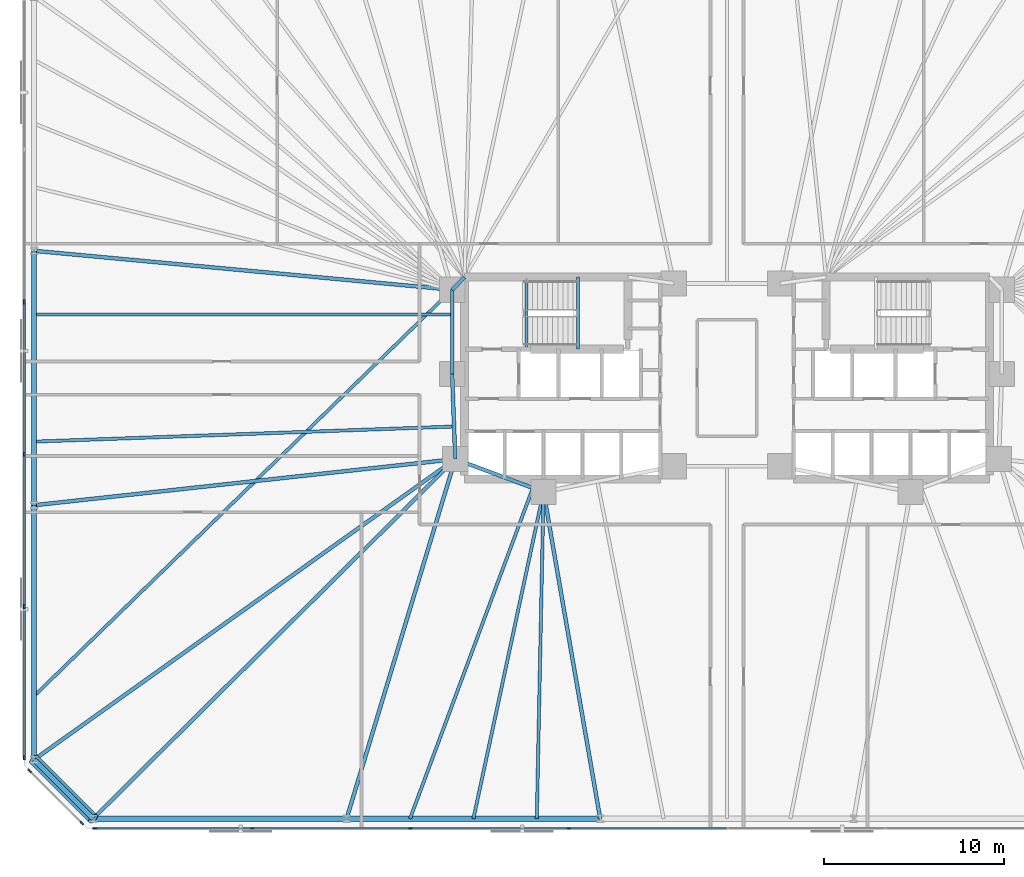
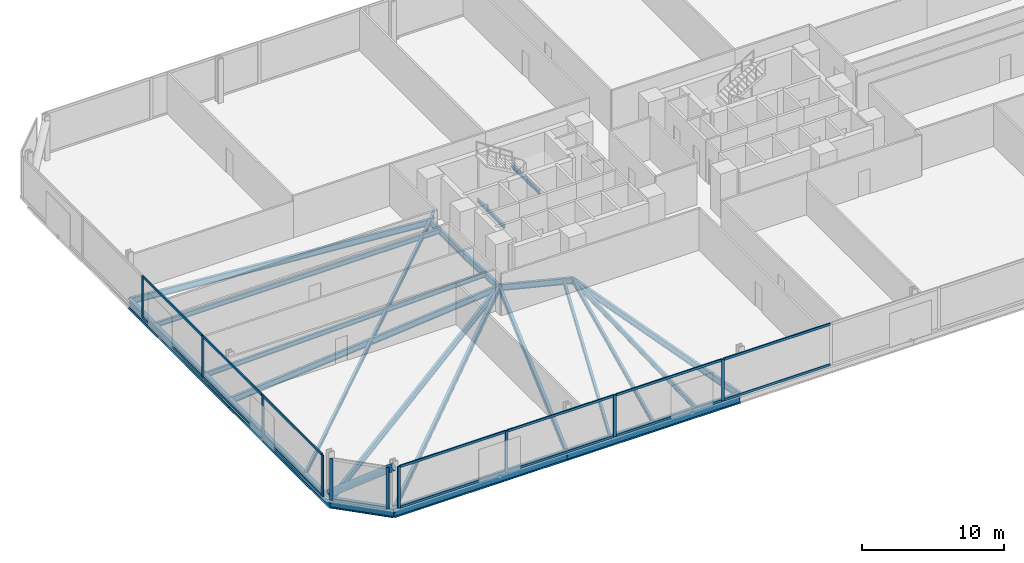
# One storey, part 6 of 17: 25 members, 23 beams, 3 elements without a shape of their own.
"""IFC4 building model written with IfcOpenShell, lengths in metres."""

from ifc_helpers import new_model, si_unit, direction, frame, origin, origin_2d, place, context, subcontext, project, spatial, rectangle, hollow_circle, i_section, extrude, material, material_profile, profile_set, type_object, element, aggregate, save


model = new_model("IFC4")

# Units and contexts
model_context = context("Model", 3, precision=1e-05, world=origin(), true_north=direction((0.0, 1.0)))
body_context = subcontext(model_context, "Body", "Model", "MODEL_VIEW")
ifc_project = project(units=[si_unit("LENGTHUNIT", "METRE"), si_unit("AREAUNIT", "SQUARE_METRE"), si_unit("VOLUMEUNIT", "CUBIC_METRE"), si_unit("PLANEANGLEUNIT", "RADIAN"), si_unit("MASSUNIT", "GRAM", prefix="KILO")], contexts=[model_context])

# Site, building, storey
site_placement = place(None, origin())
site = spatial("IfcSite", under=ifc_project, at=site_placement, CompositionType="ELEMENT")
building_placement = place(site_placement, origin())
building = spatial("IfcBuilding", under=site, at=building_placement, Name="Menara Jurai Vektor", CompositionType="ELEMENT")
storey_placement = place(building_placement, frame((0.0, 0.0, 21.800048828125)))
storey = spatial("IfcBuildingStorey", under=building, at=storey_placement, Name="L04", CompositionType="ELEMENT", Elevation=21.800048828125)

# Curtain wall, members
ifc_material_1 = material(Name="Anodised Pale Aluminium & Low-E Double Glazing", Category="aluminium")
curtain_wall_type = type_object("IfcCurtainWallType", Name="CW-BLK1", PredefinedType="NOTDEFINED", material=ifc_material_1)
curtain_wall_1_placement = place(storey_placement, origin())
curtain_wall_1 = element("IfcCurtainWall", 1, at=curtain_wall_1_placement, inside=storey, type_object=curtain_wall_type, Name="Unitised Curtain Wall L04 F01", PredefinedType="NOTDEFINED")
ifc_material_2 = material(Name="Anodised Pale Aluminium Mullion", Category="aluminium")
ifc_material_profile_1 = material_profile(ifc_material_2, rectangle(XDim=0.094970703125, YDim=0.239990234375, at=origin_2d()), Name="ALU MUL 95x240")
ifc_profile_set_1 = profile_set([ifc_material_profile_1], Name="Anodised Pale Aluminium Mullion")
member_type_1 = type_object("IfcMemberType", Name="CW-BLK1-MUL", PredefinedType="MULLION", material=ifc_profile_set_1)
member_1_placement = place(storey_placement, frame((-35.072509765625, -25.0, 0.0), z_axis=(0.0, 0.0, 1.0), x_axis=(0.0, 1.0, 0.0)))
member_1 = element("IfcMember", 2, at=member_1_placement, type_object=member_type_1, Name="CW-01 mullion 1", PredefinedType="MULLION", context=body_context, shape_type="SweptSolid", body=[
    extrude(rectangle(XDim=0.094970703125, YDim=0.239990234375, at=origin_2d()), origin(), (0.0, 0.0, 1.0), 3.574951171875),
])
member_2_placement = place(storey_placement, frame((-26.340087890625, -25.0, 0.0), z_axis=(0.0, 0.0, 1.0), x_axis=(0.0, 1.0, 0.0)))
member_2 = element("IfcMember", 3, at=member_2_placement, type_object=member_type_1, Name="CW-01 mullion 2", PredefinedType="MULLION", context=body_context, shape_type="SweptSolid", body=[
    extrude(rectangle(XDim=0.094970703125, YDim=0.239990234375, at=origin_2d()), origin(), (0.0, 0.0, 1.0), 3.574951171875),
])
member_3_placement = place(storey_placement, frame((-17.56005859375, -25.0, 0.0), z_axis=(0.0, 0.0, 1.0), x_axis=(0.0, 1.0, 0.0)))
member_3 = element("IfcMember", 4, at=member_3_placement, type_object=member_type_1, Name="CW-01 mullion 3", PredefinedType="MULLION", context=body_context, shape_type="SweptSolid", body=[
    extrude(rectangle(XDim=0.094970703125, YDim=0.239990234375, at=origin_2d()), origin(), (0.0, 0.0, 1.0), 3.574951171875),
])
member_4_placement = place(storey_placement, frame((-8.780029296875, -25.0, 0.0), z_axis=(0.0, 0.0, 1.0), x_axis=(0.0, 1.0, 0.0)))
member_4 = element("IfcMember", 5, at=member_4_placement, type_object=member_type_1, Name="CW-01 mullion 4", PredefinedType="MULLION", context=body_context, shape_type="SweptSolid", body=[
    extrude(rectangle(XDim=0.094970703125, YDim=0.239990234375, at=origin_2d()), origin(), (0.0, 0.0, 1.0), 3.574951171875),
])

curtain_wall_2_placement = place(storey_placement, origin())
curtain_wall_2 = element("IfcCurtainWall", 6, at=curtain_wall_2_placement, inside=storey, type_object=curtain_wall_type, Name="Unitised Curtain Wall L04 F07", PredefinedType="NOTDEFINED")
member_5_placement = place(storey_placement, frame((-39.0, 4.22412109375, 0.0), z_axis=(0.0, 0.0, 1.0), x_axis=(1.0, 0.0, 0.0)))
member_5 = element("IfcMember", 7, at=member_5_placement, type_object=member_type_1, Name="CW-01 mullion 3", PredefinedType="MULLION", context=body_context, shape_type="SweptSolid", body=[
    extrude(rectangle(XDim=0.094970703125, YDim=0.239990234375, at=origin_2d()), origin(), (0.0, 0.0, 1.0), 3.574951171875),
])
member_6_placement = place(storey_placement, frame((-39.0, -4.22412109375, 0.0), z_axis=(0.0, 0.0, 1.0), x_axis=(1.0, 0.0, 0.0)))
member_6 = element("IfcMember", 8, at=member_6_placement, type_object=member_type_1, Name="CW-01 mullion 4", PredefinedType="MULLION", context=body_context, shape_type="SweptSolid", body=[
    extrude(rectangle(XDim=0.094970703125, YDim=0.239990234375, at=origin_2d()), origin(), (0.0, 0.0, 1.0), 3.574951171875),
])
member_7_placement = place(storey_placement, frame((-39.0, -12.672119140625, 0.0), z_axis=(0.0, 0.0, 1.0), x_axis=(1.0, 0.0, 0.0)))
member_7 = element("IfcMember", 9, at=member_7_placement, type_object=member_type_1, Name="CW-01 mullion 5", PredefinedType="MULLION", context=body_context, shape_type="SweptSolid", body=[
    extrude(rectangle(XDim=0.094970703125, YDim=0.239990234375, at=origin_2d()), origin(), (0.0, 0.0, 1.0), 3.574951171875),
])
member_8_placement = place(storey_placement, frame((-39.0, -21.072509765625, 0.0), z_axis=(0.0, 0.0, 1.0), x_axis=(1.0, 0.0, 0.0)))
member_8 = element("IfcMember", 10, at=member_8_placement, type_object=member_type_1, Name="CW-01 mullion 6", PredefinedType="MULLION", context=body_context, shape_type="SweptSolid", body=[
    extrude(rectangle(XDim=0.094970703125, YDim=0.239990234375, at=origin_2d()), origin(), (0.0, 0.0, 1.0), 3.574951171875),
])

curtain_wall_3_placement = place(storey_placement, origin())
curtain_wall_3 = element("IfcCurtainWall", 11, at=curtain_wall_3_placement, inside=storey, type_object=curtain_wall_type, Name="Unitised Curtain Wall L04 F08", PredefinedType="NOTDEFINED")
member_9_placement = place(storey_placement, frame((-38.69775390625, -21.80224609375, 0.0), z_axis=(0.0, 0.0, 1.0), x_axis=(0.707106781187, 0.707106781187, 0.0)))
member_9 = element("IfcMember", 12, at=member_9_placement, type_object=member_type_1, Name="CW-01 mullion 1", PredefinedType="MULLION", context=body_context, shape_type="SweptSolid", body=[
    extrude(rectangle(XDim=0.094970703125, YDim=0.239990234375, at=origin_2d()), origin(), (0.0, 0.0, 1.0), 3.574951171875),
])
member_10_placement = place(storey_placement, frame((-35.80224609375, -24.69775390625, 0.0), z_axis=(0.0, 0.0, 1.0), x_axis=(0.707106781187, 0.707106781187, 0.0)))
member_10 = element("IfcMember", 13, at=member_10_placement, type_object=member_type_1, Name="CW-01 mullion 2", PredefinedType="MULLION", context=body_context, shape_type="SweptSolid", body=[
    extrude(rectangle(XDim=0.094970703125, YDim=0.239990234375, at=origin_2d()), origin(), (0.0, 0.0, 1.0), 3.574951171875),
])
aggregate(curtain_wall_3, [member_9, member_10])

# Member
ifc_material_3 = material(Name="Anodised Pale Aluminium Transom", Category="aluminium")
ifc_material_profile_2 = material_profile(ifc_material_3, rectangle(XDim=0.094970703125, YDim=0.199951171875, at=origin_2d()), Name="ALU TRN 95x200")
ifc_profile_set_2 = profile_set([ifc_material_profile_2], Name="Anodised Pale Aluminium Transom")
member_type_2 = type_object("IfcMemberType", Name="CW-BLK1-TRN", PredefinedType="USERDEFINED", material=ifc_profile_set_2)
member_11_placement = place(storey_placement, frame((-35.02490234375, -25.0, 0.04736328125), z_axis=(1.0, 0.0, 0.0), x_axis=(0.0, 1.0, 0.0)))
member_11 = element("IfcMember", 14, at=member_11_placement, type_object=member_type_2, Name="CW-01 transom 1.1", ObjectType="TRANSOM", PredefinedType="USERDEFINED", context=body_context, shape_type="SweptSolid", body=[
    extrude(rectangle(XDim=0.094970703125, YDim=0.199951171875, at=origin_2d()), origin(), (0.0, 0.0, 1.0), 8.637451171875),
])

member_12_placement = place(storey_placement, frame((-35.02490234375, -25.0, 3.52734375), z_axis=(1.0, 0.0, 0.0), x_axis=(0.0, 1.0, 0.0)))
member_12 = element("IfcMember", 15, at=member_12_placement, type_object=member_type_2, Name="CW-01 transom 1.2", ObjectType="TRANSOM", PredefinedType="USERDEFINED", context=body_context, shape_type="SweptSolid", body=[
    extrude(rectangle(XDim=0.094970703125, YDim=0.199951171875, at=origin_2d()), origin(), (0.0, 0.0, 1.0), 8.637451171875),
])

member_13_placement = place(storey_placement, frame((-26.29248046875, -25.0, 0.04736328125), z_axis=(1.0, 0.0, 0.0), x_axis=(0.0, 1.0, 0.0)))
member_13 = element("IfcMember", 16, at=member_13_placement, type_object=member_type_2, Name="CW-01 transom 2.1", ObjectType="TRANSOM", PredefinedType="USERDEFINED", context=body_context, shape_type="SweptSolid", body=[
    extrude(rectangle(XDim=0.094970703125, YDim=0.199951171875, at=origin_2d()), origin(), (0.0, 0.0, 1.0), 8.68505859375),
])

member_14_placement = place(storey_placement, frame((-26.29248046875, -25.0, 3.52734375), z_axis=(1.0, 0.0, 0.0), x_axis=(0.0, 1.0, 0.0)))
member_14 = element("IfcMember", 17, at=member_14_placement, type_object=member_type_2, Name="CW-01 transom 2.2", ObjectType="TRANSOM", PredefinedType="USERDEFINED", context=body_context, shape_type="SweptSolid", body=[
    extrude(rectangle(XDim=0.094970703125, YDim=0.199951171875, at=origin_2d()), origin(), (0.0, 0.0, 1.0), 8.68505859375),
])

member_15_placement = place(storey_placement, frame((-17.512451171875, -25.0, 0.04736328125), z_axis=(1.0, 0.0, 0.0), x_axis=(0.0, 1.0, 0.0)))
member_15 = element("IfcMember", 18, at=member_15_placement, type_object=member_type_2, Name="CW-01 transom 3.1", ObjectType="TRANSOM", PredefinedType="USERDEFINED", context=body_context, shape_type="SweptSolid", body=[
    extrude(rectangle(XDim=0.094970703125, YDim=0.199951171875, at=origin_2d()), origin(), (0.0, 0.0, 1.0), 8.68505859375),
])

member_16_placement = place(storey_placement, frame((-17.512451171875, -25.0, 3.52734375), z_axis=(1.0, 0.0, 0.0), x_axis=(0.0, 1.0, 0.0)))
member_16 = element("IfcMember", 19, at=member_16_placement, type_object=member_type_2, Name="CW-01 transom 3.2", ObjectType="TRANSOM", PredefinedType="USERDEFINED", context=body_context, shape_type="SweptSolid", body=[
    extrude(rectangle(XDim=0.094970703125, YDim=0.199951171875, at=origin_2d()), origin(), (0.0, 0.0, 1.0), 8.68505859375),
])

member_17_placement = place(storey_placement, frame((-8.732421875, -25.0, 0.04736328125), z_axis=(1.0, 0.0, 0.0), x_axis=(0.0, 1.0, 0.0)))
member_17 = element("IfcMember", 20, at=member_17_placement, type_object=member_type_2, Name="CW-01 transom 4.1", ObjectType="TRANSOM", PredefinedType="USERDEFINED", context=body_context, shape_type="SweptSolid", body=[
    extrude(rectangle(XDim=0.094970703125, YDim=0.199951171875, at=origin_2d()), origin(), (0.0, 0.0, 1.0), 8.684814453125),
])

member_18_placement = place(storey_placement, frame((-8.732421875, -25.0, 3.52734375), z_axis=(1.0, 0.0, 0.0), x_axis=(0.0, 1.0, 0.0)))
member_18 = element("IfcMember", 21, at=member_18_placement, type_object=member_type_2, Name="CW-01 transom 4.2", ObjectType="TRANSOM", PredefinedType="USERDEFINED", context=body_context, shape_type="SweptSolid", body=[
    extrude(rectangle(XDim=0.094970703125, YDim=0.199951171875, at=origin_2d()), origin(), (0.0, 0.0, 1.0), 8.684814453125),
])

aggregate(curtain_wall_1, [member_1, member_2, member_3, member_4, member_11, member_12, member_13, member_14, member_15, member_16, member_17, member_18])

member_19_placement = place(storey_placement, frame((-39.0, 4.176513671875, 0.04736328125), z_axis=(0.0, -1.0, 0.0), x_axis=(1.0, 0.0, 0.0)))
member_19 = element("IfcMember", 22, at=member_19_placement, type_object=member_type_2, Name="CW-01 transom 3.1", ObjectType="TRANSOM", PredefinedType="USERDEFINED", context=body_context, shape_type="SweptSolid", body=[
    extrude(rectangle(XDim=0.094970703125, YDim=0.199951171875, at=origin_2d()), origin(), (0.0, 0.0, 1.0), 8.35302734375),
])

member_20_placement = place(storey_placement, frame((-39.0, 4.176513671875, 3.52734375), z_axis=(0.0, -1.0, 0.0), x_axis=(1.0, 0.0, 0.0)))
member_20 = element("IfcMember", 23, at=member_20_placement, type_object=member_type_2, Name="CW-01 transom 3.2", ObjectType="TRANSOM", PredefinedType="USERDEFINED", context=body_context, shape_type="SweptSolid", body=[
    extrude(rectangle(XDim=0.094970703125, YDim=0.199951171875, at=origin_2d()), origin(), (0.0, 0.0, 1.0), 8.35302734375),
])

member_21_placement = place(storey_placement, frame((-39.0, -4.271484375, 0.04736328125), z_axis=(0.0, -1.0, 0.0), x_axis=(1.0, 0.0, 0.0)))
member_21 = element("IfcMember", 24, at=member_21_placement, type_object=member_type_2, Name="CW-01 transom 4.1", ObjectType="TRANSOM", PredefinedType="USERDEFINED", context=body_context, shape_type="SweptSolid", body=[
    extrude(rectangle(XDim=0.094970703125, YDim=0.199951171875, at=origin_2d()), origin(), (0.0, 0.0, 1.0), 8.35302734375),
])

member_22_placement = place(storey_placement, frame((-39.0, -4.271484375, 3.52734375), z_axis=(0.0, -1.0, 0.0), x_axis=(1.0, 0.0, 0.0)))
member_22 = element("IfcMember", 25, at=member_22_placement, type_object=member_type_2, Name="CW-01 transom 4.2", ObjectType="TRANSOM", PredefinedType="USERDEFINED", context=body_context, shape_type="SweptSolid", body=[
    extrude(rectangle(XDim=0.094970703125, YDim=0.199951171875, at=origin_2d()), origin(), (0.0, 0.0, 1.0), 8.35302734375),
])

member_23_placement = place(storey_placement, frame((-39.0, -12.719482421875, 0.04736328125), z_axis=(0.0, -1.0, 0.0), x_axis=(1.0, 0.0, 0.0)))
member_23 = element("IfcMember", 26, at=member_23_placement, type_object=member_type_2, Name="CW-01 transom 5.1", ObjectType="TRANSOM", PredefinedType="USERDEFINED", context=body_context, shape_type="SweptSolid", body=[
    extrude(rectangle(XDim=0.094970703125, YDim=0.199951171875, at=origin_2d()), origin(), (0.0, 0.0, 1.0), 8.305419921875),
])

member_24_placement = place(storey_placement, frame((-39.0, -12.719482421875, 3.52734375), z_axis=(0.0, -1.0, 0.0), x_axis=(1.0, 0.0, 0.0)))
member_24 = element("IfcMember", 27, at=member_24_placement, type_object=member_type_2, Name="CW-01 transom 5.2", ObjectType="TRANSOM", PredefinedType="USERDEFINED", context=body_context, shape_type="SweptSolid", body=[
    extrude(rectangle(XDim=0.094970703125, YDim=0.199951171875, at=origin_2d()), origin(), (0.0, 0.0, 1.0), 8.305419921875),
])

aggregate(curtain_wall_2, [member_5, member_6, member_7, member_8, member_19, member_20, member_21, member_22, member_23, member_24])

# Beams
ifc_material_4 = material(Name="Steel S355", Category="steel")
ifc_material_profile_3 = material_profile(ifc_material_4, i_section(OverallWidth=0.2109375, OverallDepth=0.5390625, WebThickness=0.011962890625, FlangeThickness=0.01904296875, FilletRadius=0.012939453125, at=origin_2d()), Name="UKB 533x210x109")
ifc_profile_set_3 = profile_set([ifc_material_profile_3], Name="Steel S355")
beam_type_1 = type_object("IfcBeamType", Name="STR-BM-533", PredefinedType="BEAM", material=ifc_profile_set_3)
beam_1_placement = place(storey_placement, frame((-15.25, 4.89990234375, -0.49462890625), z_axis=(0.701871936926, 0.712303154672, 0.0), x_axis=(-0.712303154672, 0.701871936926, 0.0)))
element("IfcBeam", 28, at=beam_1_placement, inside=storey, type_object=beam_type_1, Name="Core Ring Header Girder L04-CHW-N1", PredefinedType="BEAM", context=body_context, shape_type="SweptSolid", body=[
    extrude(i_section(OverallWidth=0.2109375, OverallDepth=0.5390625, WebThickness=0.011962890625, FlangeThickness=0.01904296875, FilletRadius=0.012939453125, at=origin_2d()), origin(), (0.0, 0.0, 1.0), 0.98291015625),
])
beam_2_placement = place(storey_placement, frame((-15.25, 0.219970703125, -0.49462890625), z_axis=(0.0, 1.0, 0.0), x_axis=(-1.0, 0.0, 0.0)))
element("IfcBeam", 29, at=beam_2_placement, inside=storey, type_object=beam_type_1, Name="Core Ring Header Girder L04-CHW-W1", PredefinedType="BEAM", context=body_context, shape_type="SweptSolid", body=[
    extrude(i_section(OverallWidth=0.2109375, OverallDepth=0.5390625, WebThickness=0.011962890625, FlangeThickness=0.01904296875, FilletRadius=0.012939453125, at=origin_2d()), origin(), (0.0, 0.0, 1.0), 4.679931640625),
])
beam_3_placement = place(storey_placement, frame((-15.080078125, -4.5, -0.49462890625), z_axis=(-0.035977314146, 0.999352606874, 0.0), x_axis=(-0.999352606874, -0.035977314146, 0.0)))
element("IfcBeam", 30, at=beam_3_placement, inside=storey, type_object=beam_type_1, Name="Core Ring Header Girder L04-CHW-W2", PredefinedType="BEAM", context=body_context, shape_type="SweptSolid", body=[
    extrude(i_section(OverallWidth=0.2109375, OverallDepth=0.5390625, WebThickness=0.011962890625, FlangeThickness=0.01904296875, FilletRadius=0.012939453125, at=origin_2d()), origin(), (0.0, 0.0, 1.0), 4.72314453125),
])
beam_4_placement = place(storey_placement, frame((-15.080078125, -4.5, -0.49462890625), z_axis=(0.937424400887, -0.348188874925, 0.0), x_axis=(0.348188874925, 0.937424400887, 0.0)))
element("IfcBeam", 31, at=beam_4_placement, inside=storey, type_object=beam_type_1, Name="Core Ring Header Girder L04-CHW-S1", PredefinedType="BEAM", context=body_context, shape_type="SweptSolid", body=[
    extrude(i_section(OverallWidth=0.2109375, OverallDepth=0.5390625, WebThickness=0.011962890625, FlangeThickness=0.01904296875, FilletRadius=0.012939453125, at=origin_2d()), origin(), (0.0, 0.0, 1.0), 5.227294921875),
])
beam_5_placement = place(storey_placement, frame((-35.177734375, -24.449951171875, -0.49462890625), z_axis=(0.709709931659, 0.704494011972, 0.0), x_axis=(-0.704494011972, 0.709709931659, 0.0)))
element("IfcBeam", 32, at=beam_5_placement, inside=storey, type_object=beam_type_1, Name="Radial Floor Girder L04-S1", PredefinedType="BEAM", context=body_context, shape_type="SweptSolid", body=[
    extrude(i_section(OverallWidth=0.2109375, OverallDepth=0.5390625, WebThickness=0.011962890625, FlangeThickness=0.01904296875, FilletRadius=0.012939453125, at=origin_2d()), origin(), (0.0, 0.0, 1.0), 28.318115234375),
])
beam_6_placement = place(storey_placement, frame((-21.106689453125, -24.449951171875, -0.49462890625), z_axis=(0.289179812203, 0.957274796604, 0.0), x_axis=(-0.957274796604, 0.289179812203, 0.0)))
element("IfcBeam", 33, at=beam_6_placement, inside=storey, type_object=beam_type_1, Name="Radial Floor Girder L04-S2", PredefinedType="BEAM", context=body_context, shape_type="SweptSolid", body=[
    extrude(i_section(OverallWidth=0.2109375, OverallDepth=0.5390625, WebThickness=0.011962890625, FlangeThickness=0.01904296875, FilletRadius=0.012939453125, at=origin_2d()), origin(), (0.0, 0.0, 1.0), 20.84033203125),
])
beam_7_placement = place(storey_placement, frame((-7.03564453125, -24.449951171875, -0.49462890625), z_axis=(-0.170880325642, 0.985291791455, 0.0), x_axis=(-0.985291791455, -0.170880325642, 0.0)))
element("IfcBeam", 34, at=beam_7_placement, inside=storey, type_object=beam_type_1, Name="Radial Floor Girder L04-S3", PredefinedType="BEAM", context=body_context, shape_type="SweptSolid", body=[
    extrude(i_section(OverallWidth=0.2109375, OverallDepth=0.5390625, WebThickness=0.011962890625, FlangeThickness=0.01904296875, FilletRadius=0.012939453125, at=origin_2d()), origin(), (0.0, 0.0, 1.0), 18.400634765625),
])
beam_8_placement = place(storey_placement, frame((-38.449951171875, 7.059326171875, -0.49462890625), z_axis=(0.995696113112, -0.092678208514, 0.0), x_axis=(0.092678208514, 0.995696113112, 0.0)))
element("IfcBeam", 35, at=beam_8_placement, inside=storey, type_object=beam_type_1, Name="Radial Floor Girder L04-W2", PredefinedType="BEAM", context=body_context, shape_type="SweptSolid", body=[
    extrude(i_section(OverallWidth=0.2109375, OverallDepth=0.5390625, WebThickness=0.011962890625, FlangeThickness=0.01904296875, FilletRadius=0.012939453125, at=origin_2d()), origin(), (0.0, 0.0, 1.0), 23.30029296875),
])
beam_9_placement = place(storey_placement, frame((-38.449951171875, -7.059326171875, -0.49462890625), z_axis=(0.994056757953, 0.108863042253, 0.0), x_axis=(-0.108863042253, 0.994056757953, 0.0)))
element("IfcBeam", 36, at=beam_9_placement, inside=storey, type_object=beam_type_1, Name="Radial Floor Girder L04-W3", PredefinedType="BEAM", context=body_context, shape_type="SweptSolid", body=[
    extrude(i_section(OverallWidth=0.2109375, OverallDepth=0.5390625, WebThickness=0.011962890625, FlangeThickness=0.01904296875, FilletRadius=0.012939453125, at=origin_2d()), origin(), (0.0, 0.0, 1.0), 23.509521484375),
])
beam_10_placement = place(storey_placement, frame((-38.449951171875, -21.177734375, -0.49462890625), z_axis=(0.813981033216, 0.580891450759, 0.0), x_axis=(-0.580891450759, 0.813981033216, 0.0)))
element("IfcBeam", 37, at=beam_10_placement, inside=storey, type_object=beam_type_1, Name="Radial Floor Girder L04-W4", PredefinedType="BEAM", context=body_context, shape_type="SweptSolid", body=[
    extrude(i_section(OverallWidth=0.2109375, OverallDepth=0.5390625, WebThickness=0.011962890625, FlangeThickness=0.01904296875, FilletRadius=0.012939453125, at=origin_2d()), origin(), (0.0, 0.0, 1.0), 28.710693359375),
])

# Member
ifc_material_5 = material(Name="Steel S460", Category="steel")
ifc_material_profile_4 = material_profile(ifc_material_5, hollow_circle(Radius=0.304931640625, WallThickness=0.02490234375, at=origin_2d()), Name="CHS 610x25")
ifc_profile_set_4 = profile_set([ifc_material_profile_4], Name="Steel S460")
member_type_3 = type_object("IfcMemberType", Name="STR-BR-610", PredefinedType="BRACE", material=ifc_profile_set_4)
member_25_placement = place(storey_placement, frame((-38.449951171875, -21.177734375, 0.14990234375), z_axis=(0.588942422958, -0.588942422958, 0.553438022619), x_axis=(0.707106781187, 0.707106781187, 0.0)))
element("IfcMember", 38, at=member_25_placement, inside=storey, type_object=member_type_3, Name="Exoskeleton Corner Brace L04-4", PredefinedType="BRACE", context=body_context, shape_type="SweptSolid", body=[
    extrude(hollow_circle(Radius=0.304931640625, WallThickness=0.02490234375, at=origin_2d()), origin(), (0.0, 0.0, 1.0), 5.55615234375),
])

# Beams
ifc_material_profile_5 = material_profile(ifc_material_4, i_section(OverallWidth=0.178955078125, OverallDepth=0.408935546875, WebThickness=0.009033203125, FlangeThickness=0.013916015625, FilletRadius=0.010009765625, at=origin_2d()), Name="UKB 406x178x67")
ifc_profile_set_5 = profile_set([ifc_material_profile_5], Name="Steel S355")
beam_type_2 = type_object("IfcBeamType", Name="STR-JS-406", PredefinedType="JOIST", material=ifc_profile_set_5)
beam_11_placement = place(storey_placement, frame((-17.5888671875, -24.449951171875, -0.429443359375), z_axis=(0.348179014223, 0.937428063403, 0.0), x_axis=(-0.937428063403, 0.348179014223, 0.0)))
element("IfcBeam", 39, at=beam_11_placement, inside=storey, type_object=beam_type_2, Name="Radial Secondary Floor Joist L04-JS01", PredefinedType="JOIST", context=body_context, shape_type="SweptSolid", body=[
    extrude(i_section(OverallWidth=0.178955078125, OverallDepth=0.408935546875, WebThickness=0.009033203125, FlangeThickness=0.013916015625, FilletRadius=0.010009765625, at=origin_2d()), origin(), (0.0, 0.0, 1.0), 19.5751953125),
])
beam_12_placement = place(storey_placement, frame((-14.071044921875, -24.449951171875, -0.429443359375), z_axis=(0.209845584412, 0.977734539997, 0.0), x_axis=(-0.977734539997, 0.209845584412, 0.0)))
element("IfcBeam", 40, at=beam_12_placement, inside=storey, type_object=beam_type_2, Name="Radial Secondary Floor Joist L04-JS02", PredefinedType="JOIST", context=body_context, shape_type="SweptSolid", body=[
    extrude(i_section(OverallWidth=0.178955078125, OverallDepth=0.408935546875, WebThickness=0.009033203125, FlangeThickness=0.013916015625, FilletRadius=0.010009765625, at=origin_2d()), origin(), (0.0, 0.0, 1.0), 18.542724609375),
])
beam_13_placement = place(storey_placement, frame((-10.55322265625, -24.449951171875, -0.429443359375), z_axis=(0.020585456509, 0.999788097039, 0.0), x_axis=(-0.999788097039, 0.020585456509, 0.0)))
element("IfcBeam", 41, at=beam_13_placement, inside=storey, type_object=beam_type_2, Name="Radial Secondary Floor Joist L04-JS03", PredefinedType="JOIST", context=body_context, shape_type="SweptSolid", body=[
    extrude(i_section(OverallWidth=0.178955078125, OverallDepth=0.408935546875, WebThickness=0.009033203125, FlangeThickness=0.013916015625, FilletRadius=0.010009765625, at=origin_2d()), origin(), (0.0, 0.0, 1.0), 18.1337890625),
])
beam_14_placement = place(storey_placement, frame((-38.449951171875, 3.529541015625, -0.429443359375), z_axis=(1.0, 0.0, 0.0), x_axis=(0.0, 1.0, 0.0)))
element("IfcBeam", 42, at=beam_14_placement, inside=storey, type_object=beam_type_2, Name="Radial Secondary Floor Joist L04-JS35", PredefinedType="JOIST", context=body_context, shape_type="SweptSolid", body=[
    extrude(i_section(OverallWidth=0.178955078125, OverallDepth=0.408935546875, WebThickness=0.009033203125, FlangeThickness=0.013916015625, FilletRadius=0.010009765625, at=origin_2d()), origin(), (0.0, 0.0, 1.0), 23.199951171875),
])
beam_15_placement = place(storey_placement, frame((-38.449951171875, -3.529541015625, -0.429443359375), z_axis=(0.999352032814, 0.035993256462, 0.0), x_axis=(-0.035993256462, 0.999352032814, 0.0)))
element("IfcBeam", 43, at=beam_15_placement, inside=storey, type_object=beam_type_2, Name="Radial Secondary Floor Joist L04-JS36", PredefinedType="JOIST", context=body_context, shape_type="SweptSolid", body=[
    extrude(i_section(OverallWidth=0.178955078125, OverallDepth=0.408935546875, WebThickness=0.009033203125, FlangeThickness=0.013916015625, FilletRadius=0.010009765625, at=origin_2d()), origin(), (0.0, 0.0, 1.0), 23.31982421875),
])
beam_16_placement = place(storey_placement, frame((-38.449951171875, -17.648193359375, -0.429443359375), z_axis=(0.71710942187, 0.696960599363, 0.0), x_axis=(-0.696960599363, 0.71710942187, 0.0)))
element("IfcBeam", 44, at=beam_16_placement, inside=storey, type_object=beam_type_2, Name="Radial Secondary Floor Joist L04-JS37", PredefinedType="JOIST", context=body_context, shape_type="SweptSolid", body=[
    extrude(i_section(OverallWidth=0.178955078125, OverallDepth=0.408935546875, WebThickness=0.009033203125, FlangeThickness=0.013916015625, FilletRadius=0.010009765625, at=origin_2d()), origin(), (0.0, 0.0, 1.0), 32.35205078125),
])
ifc_material_profile_6 = material_profile(ifc_material_4, i_section(OverallWidth=0.1650390625, OverallDepth=0.302978515625, WebThickness=0.006103515625, FlangeThickness=0.010009765625, FilletRadius=0.009033203125, at=origin_2d()), Name="UKB 305x165x40")
ifc_profile_set_6 = profile_set([ifc_material_profile_6], Name="Steel S355")
beam_type_3 = type_object("IfcBeamType", Name="STR-LN-305", PredefinedType="LINTEL", material=ifc_profile_set_6)
beam_17_placement = place(storey_placement, frame((-11.1201171875, 1.60009765625, -0.37646484375), z_axis=(0.0, 1.0, 0.0), x_axis=(-1.0, 0.0, 0.0)))
element("IfcBeam", 45, at=beam_17_placement, inside=storey, type_object=beam_type_3, Name="Stair Well Floor Trimmer ST1 L04", PredefinedType="LINTEL", context=body_context, shape_type="SweptSolid", body=[
    extrude(i_section(OverallWidth=0.1650390625, OverallDepth=0.302978515625, WebThickness=0.006103515625, FlangeThickness=0.010009765625, FilletRadius=0.009033203125, at=origin_2d()), origin(), (0.0, 0.0, 1.0), 3.81982421875),
])
beam_18_placement = place(storey_placement, frame((-8.27001953125, 1.60009765625, 1.54833984375), z_axis=(0.0, 1.0, 0.0), x_axis=(-1.0, 0.0, 0.0)))
element("IfcBeam", 46, at=beam_18_placement, inside=storey, type_object=beam_type_3, Name="Stair Half-Landing Nosing Trimmer ST1-1 L04", PredefinedType="LINTEL", context=body_context, shape_type="SweptSolid", body=[
    extrude(i_section(OverallWidth=0.1650390625, OverallDepth=0.302978515625, WebThickness=0.006103515625, FlangeThickness=0.010009765625, FilletRadius=0.009033203125, at=origin_2d()), origin(), (0.0, 0.0, 1.0), 4.0),
])
ifc_material_profile_7 = material_profile(ifc_material_5, i_section(OverallWidth=0.2939453125, OverallDepth=0.85107421875, WebThickness=0.01611328125, FlangeThickness=0.027099609375, FilletRadius=0.01806640625, at=origin_2d()), Name="UKB 838x292x226")
ifc_profile_set_7 = profile_set([ifc_material_profile_7], Name="Steel S460")
beam_type_4 = type_object("IfcBeamType", Name="STR-SP-838", PredefinedType="SPANDREL", material=ifc_profile_set_7)
for number, where, z_axis, x_axis, name in (
    (47, (-35.177734375, -24.449951171875, -0.650634765625), (1.0, 0.0, 0.0), (0.0, 1.0, 0.0), "Exoskeleton Spandrel Beam L04-01"),
    (48, (-21.106689453125, -24.449951171875, -0.650634765625), (1.0, 0.0, 0.0), (0.0, 1.0, 0.0), "Exoskeleton Spandrel Beam L04-02"),
):
    element("IfcBeam", number, at=place(storey_placement, frame(where, z_axis=z_axis, x_axis=x_axis)), inside=storey, type_object=beam_type_4, Name=name, PredefinedType="SPANDREL", context=body_context, shape_type="SweptSolid", body=[
        extrude(i_section(OverallWidth=0.2939453125, OverallDepth=0.85107421875, WebThickness=0.01611328125, FlangeThickness=0.027099609375, FilletRadius=0.01806640625, at=origin_2d()), origin(), (0.0, 0.0, 1.0), 14.071044921875),
    ])
beam_19_placement = place(storey_placement, frame((-38.449951171875, 7.059326171875, -0.650634765625), z_axis=(0.0, -1.0, 0.0), x_axis=(1.0, 0.0, 0.0)))
element("IfcBeam", 49, at=beam_19_placement, inside=storey, type_object=beam_type_4, Name="Exoskeleton Spandrel Beam L04-18", PredefinedType="SPANDREL", context=body_context, shape_type="SweptSolid", body=[
    extrude(i_section(OverallWidth=0.2939453125, OverallDepth=0.85107421875, WebThickness=0.01611328125, FlangeThickness=0.027099609375, FilletRadius=0.01806640625, at=origin_2d()), origin(), (0.0, 0.0, 1.0), 14.11865234375),
])
beam_20_placement = place(storey_placement, frame((-38.449951171875, -7.059326171875, -0.650634765625), z_axis=(0.0, -1.0, 0.0), x_axis=(1.0, 0.0, 0.0)))
element("IfcBeam", 50, at=beam_20_placement, inside=storey, type_object=beam_type_4, Name="Exoskeleton Spandrel Beam L04-19", PredefinedType="SPANDREL", context=body_context, shape_type="SweptSolid", body=[
    extrude(i_section(OverallWidth=0.2939453125, OverallDepth=0.85107421875, WebThickness=0.01611328125, FlangeThickness=0.027099609375, FilletRadius=0.01806640625, at=origin_2d()), origin(), (0.0, 0.0, 1.0), 14.118408203125),
])
beam_21_placement = place(storey_placement, frame((-38.449951171875, -21.177734375, -0.650634765625), z_axis=(0.707106781187, -0.707106781187, 0.0), x_axis=(0.707106781187, 0.707106781187, 0.0)))
element("IfcBeam", 51, at=beam_21_placement, inside=storey, type_object=beam_type_4, Name="Exoskeleton Spandrel Beam L04-20", PredefinedType="SPANDREL", context=body_context, shape_type="SweptSolid", body=[
    extrude(i_section(OverallWidth=0.2939453125, OverallDepth=0.85107421875, WebThickness=0.01611328125, FlangeThickness=0.027099609375, FilletRadius=0.01806640625, at=origin_2d()), origin(), (0.0, 0.0, 1.0), 4.627685546875),
])

save(model, "model.ifc")
